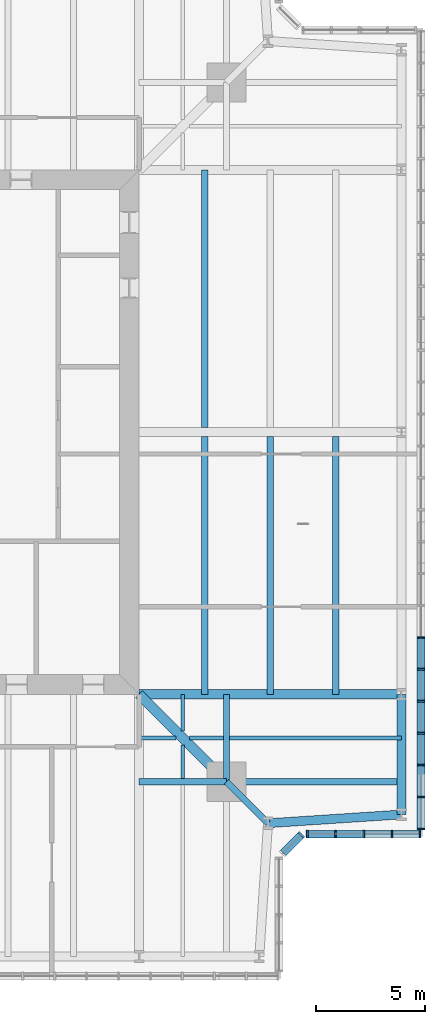
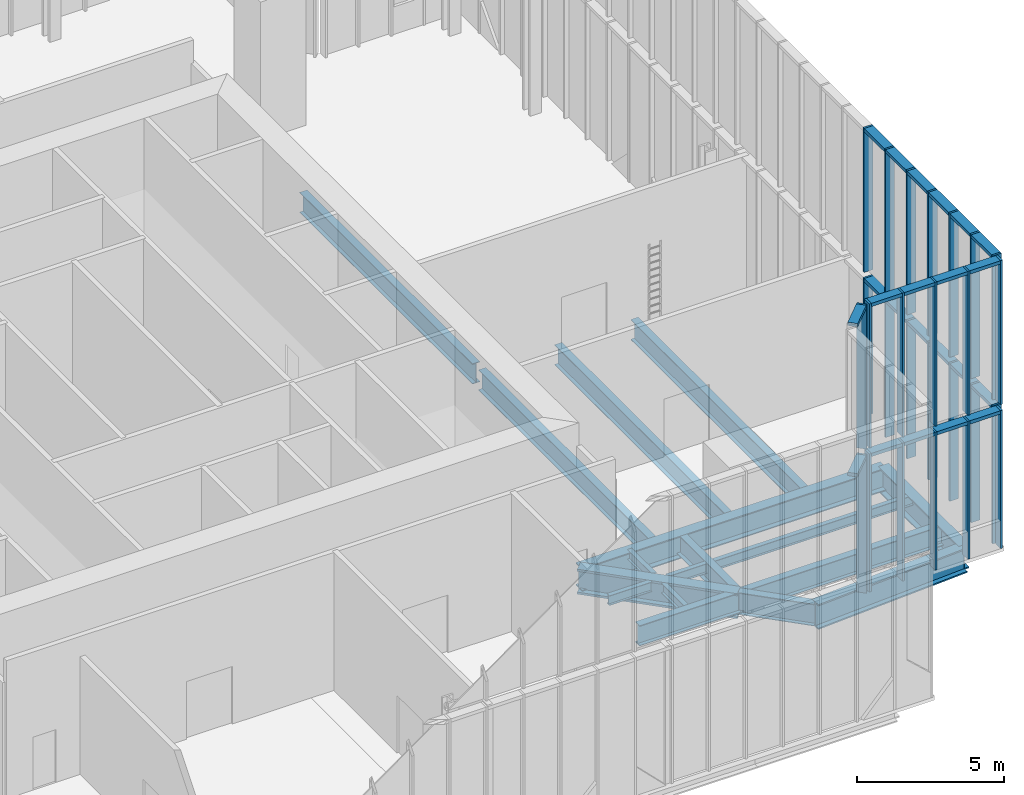
# One storey, part 6 of 25: 48 members, 17 beams, 6 elements without a shape of their own.
"""IFC4 building model written with IfcOpenShell, lengths in metres."""

from ifc_helpers import new_model, si_unit, direction, frame, origin, origin_2d, place, context, subcontext, project, spatial, rectangle, i_section, extrude, material, material_profile, profile_set, type_object, element, aggregate, save


model = new_model("IFC4")

# Units and contexts
model_context = context("Model", 3, precision=1e-05, world=origin(), true_north=direction((0.0, 1.0)))
body_context = subcontext(model_context, "Body", "Model", "MODEL_VIEW")
ifc_project = project(units=[si_unit("LENGTHUNIT", "METRE"), si_unit("AREAUNIT", "SQUARE_METRE"), si_unit("VOLUMEUNIT", "CUBIC_METRE"), si_unit("PLANEANGLEUNIT", "RADIAN"), si_unit("MASSUNIT", "GRAM", prefix="KILO")], contexts=[model_context])

# Site, building, storey
site_placement = place(None, origin())
site = spatial("IfcSite", under=ifc_project, at=site_placement, CompositionType="ELEMENT")
building_placement = place(site_placement, origin())
building = spatial("IfcBuilding", under=site, at=building_placement, Name="Fenwick Lantern Interchange", CompositionType="ELEMENT")
storey_placement = place(building_placement, frame((0.0, 0.0, 307.800048828125)))
storey = spatial("IfcBuildingStorey", under=building, at=storey_placement, Name="L74", CompositionType="ELEMENT", Elevation=307.800048828125)

# Beams
ifc_material_1 = material(Name="Steel ASTM A992 Grade 50", Category="steel")
ifc_material_profile_1 = material_profile(ifc_material_1, i_section(OverallWidth=0.408935546875, OverallDepth=1.04150390625, WebThickness=0.031005859375, FlangeThickness=0.055908203125, at=origin_2d()), Name="W40X397")
ifc_profile_set_1 = profile_set([ifc_material_profile_1], Name="Steel ASTM A992 Grade 50")
beam_type_1 = type_object("IfcBeamType", Name="EDGE BEAM W40X397", PredefinedType="SPANDREL", material=ifc_profile_set_1)
beam_1_placement = place(storey_placement, frame((42.89990234375, 7.10009765625, -0.720703125), z_axis=(0.997858060337, 0.065416293237, 0.0), x_axis=(-0.065416293237, 0.997858060337, 0.0)))
element("IfcBeam", 1, at=beam_1_placement, inside=storey, type_object=beam_type_1, Name="L74/FR/S/EBR2", PredefinedType="SPANDREL", context=body_context, shape_type="SweptSolid", body=[
    extrude(i_section(OverallWidth=0.408935546875, OverallDepth=1.04150390625, WebThickness=0.031005859375, FlangeThickness=0.055908203125, at=origin_2d()), origin(), (0.0, 0.0, 1.0), 6.11328125),
])
beam_2_placement = place(storey_placement, frame((49.0, 7.5, -0.720703125), z_axis=(0.0, 1.0, 0.0), x_axis=(-1.0, 0.0, 0.0)))
element("IfcBeam", 2, at=beam_2_placement, inside=storey, type_object=beam_type_1, Name="L74/FR/E/EB1", PredefinedType="SPANDREL", context=body_context, shape_type="SweptSolid", body=[
    extrude(i_section(OverallWidth=0.408935546875, OverallDepth=1.04150390625, WebThickness=0.031005859375, FlangeThickness=0.055908203125, at=origin_2d()), origin(), (0.0, 0.0, 1.0), 5.5),
])
ifc_material_profile_2 = material_profile(ifc_material_1, i_section(OverallWidth=0.2919921875, OverallDepth=0.845703125, WebThickness=0.015380859375, FlangeThickness=0.0244140625, at=origin_2d()), Name="W33X141")
ifc_profile_set_2 = profile_set([ifc_material_profile_2], Name="Steel ASTM A992 Grade 50")
beam_type_2 = type_object("IfcBeamType", Name="FLOOR BEAM W33X141", PredefinedType="BEAM", material=ifc_profile_set_2)
for number, where, z_axis, x_axis, name in (
    (3, (46.0, 13.0, -0.623046875), (0.0, 1.0, 0.0), (-1.0, 0.0, 0.0), "L74/FR/E/B01"),
    (4, (43.0, 13.0, -0.623046875), (0.0, 1.0, 0.0), (-1.0, 0.0, 0.0), "L74/FR/E/B02"),
    (5, (40.0, 13.0, -0.623046875), (0.0, 1.0, 0.0), (-1.0, 0.0, 0.0), "L74/FR/E/B03"),
    (6, (40.0, 25.20458984375, -0.623046875), (0.0, 1.0, 0.0), (-1.0, 0.0, 0.0), "L74/FR/E/B06"),
):
    element("IfcBeam", number, at=place(storey_placement, frame(where, z_axis=z_axis, x_axis=x_axis)), inside=storey, type_object=beam_type_2, Name=name, PredefinedType="BEAM", context=body_context, shape_type="SweptSolid", body=[
        extrude(i_section(OverallWidth=0.2919921875, OverallDepth=0.845703125, WebThickness=0.015380859375, FlangeThickness=0.0244140625, at=origin_2d()), origin(), (0.0, 0.0, 1.0), 11.79541015625),
    ])
ifc_material_profile_3 = material_profile(ifc_material_1, i_section(OverallWidth=0.177734375, OverallDepth=0.406494140625, WebThickness=0.0078125, FlangeThickness=0.012939453125, at=origin_2d()), Name="W16X40")
ifc_profile_set_3 = profile_set([ifc_material_profile_3], Name="Steel ASTM A992 Grade 50")
beam_type_3 = type_object("IfcBeamType", Name="INFILL BEAM W16X40", PredefinedType="JOIST", material=ifc_profile_set_3)
beam_3_placement = place(storey_placement, frame((49.0, 11.0, -0.4033203125), z_axis=(-1.0, 0.0, 0.0), x_axis=(0.0, -1.0, 0.0)))
element("IfcBeam", 7, at=beam_3_placement, inside=storey, type_object=beam_type_3, Name="L74/FR/E/J1", PredefinedType="JOIST", context=body_context, shape_type="SweptSolid", body=[
    extrude(i_section(OverallWidth=0.177734375, OverallDepth=0.406494140625, WebThickness=0.0078125, FlangeThickness=0.012939453125, at=origin_2d()), origin(), (0.0, 0.0, 1.0), 7.85400390625),
])
beam_4_placement = place(storey_placement, frame((40.85400390625, 11.0, -0.4033203125), z_axis=(-1.0, 0.0, 0.0), x_axis=(0.0, -1.0, 0.0)))
element("IfcBeam", 8, at=beam_4_placement, inside=storey, type_object=beam_type_3, Name="L74/FR/E/J2", PredefinedType="JOIST", context=body_context, shape_type="SweptSolid", body=[
    extrude(i_section(OverallWidth=0.177734375, OverallDepth=0.406494140625, WebThickness=0.0078125, FlangeThickness=0.012939453125, at=origin_2d()), origin(), (0.0, 0.0, 1.0), 1.537841796875),
])
beam_5_placement = place(storey_placement, frame((38.683837890625, 11.0, -0.4033203125), z_axis=(-1.0, 0.0, 0.0), x_axis=(0.0, -1.0, 0.0)))
element("IfcBeam", 9, at=beam_5_placement, inside=storey, type_object=beam_type_3, Name="L74/FR/E/J6", PredefinedType="JOIST", context=body_context, shape_type="SweptSolid", body=[
    extrude(i_section(OverallWidth=0.177734375, OverallDepth=0.406494140625, WebThickness=0.0078125, FlangeThickness=0.012939453125, at=origin_2d()), origin(), (0.0, 0.0, 1.0), 1.683837890625),
])
beam_6_placement = place(storey_placement, frame((39.0, 9.14599609375, -0.4033203125), z_axis=(0.0, 1.0, 0.0), x_axis=(-1.0, 0.0, 0.0)))
element("IfcBeam", 10, at=beam_6_placement, inside=storey, type_object=beam_type_3, Name="L74/FR/E/J4", PredefinedType="JOIST", context=body_context, shape_type="SweptSolid", body=[
    extrude(i_section(OverallWidth=0.177734375, OverallDepth=0.406494140625, WebThickness=0.0078125, FlangeThickness=0.012939453125, at=origin_2d()), origin(), (0.0, 0.0, 1.0), 1.537841796875),
])
beam_7_placement = place(storey_placement, frame((39.0, 11.316162109375, -0.4033203125), z_axis=(0.0, 1.0, 0.0), x_axis=(-1.0, 0.0, 0.0)))
element("IfcBeam", 11, at=beam_7_placement, inside=storey, type_object=beam_type_3, Name="L74/FR/E/J5", PredefinedType="JOIST", context=body_context, shape_type="SweptSolid", body=[
    extrude(i_section(OverallWidth=0.177734375, OverallDepth=0.406494140625, WebThickness=0.0078125, FlangeThickness=0.012939453125, at=origin_2d()), origin(), (0.0, 0.0, 1.0), 1.683837890625),
])

# Curtain wall, member
ifc_material_2 = material(Name="Aluminium curtain wall frame", Category="aluminium")
curtain_wall_type = type_object("IfcCurtainWallType", Name="LANTERN GLAZING", PredefinedType="USERDEFINED", material=ifc_material_2)
curtain_wall_1_placement = place(storey_placement, origin())
curtain_wall_1 = element("IfcCurtainWall", 12, at=curtain_wall_1_placement, inside=storey, type_object=curtain_wall_type, Name="Lantern glazing 03", ObjectType="LANTERN GLAZING", PredefinedType="USERDEFINED")
ifc_material_3 = material(Name="Aluminium extrusion", Category="aluminium")
ifc_material_profile_4 = material_profile(ifc_material_3, rectangle(XDim=0.35009765625, YDim=0.080078125, at=origin_2d()), Name="LANTERN GLAZING MULLION 80 X 350")
ifc_profile_set_4 = profile_set([ifc_material_profile_4], Name="Aluminium extrusion")
member_type_1 = type_object("IfcMemberType", Name="LANTERN GLAZING MULLION 80 X 350", PredefinedType="MULLION", material=ifc_profile_set_4)
member_1_placement = place(storey_placement, frame((44.43017578125, 6.57177734375, 0.0), z_axis=(0.0, 0.0, 1.0), x_axis=(-0.707106781187, 0.707106781187, 0.0)))
member_1 = element("IfcMember", 13, at=member_1_placement, type_object=member_type_1, Name="L74/CW/03/M01", PredefinedType="MULLION", context=body_context, shape_type="SweptSolid", body=[
    extrude(rectangle(XDim=0.35009765625, YDim=0.080078125, at=origin_2d()), origin(), (0.0, 0.0, 1.0), 5.75),
])

# Curtain wall, members
curtain_wall_2_placement = place(storey_placement, origin())
curtain_wall_2 = element("IfcCurtainWall", 14, at=curtain_wall_2_placement, inside=storey, type_object=curtain_wall_type, Name="Lantern glazing 04", ObjectType="LANTERN GLAZING", PredefinedType="USERDEFINED")
member_2_placement = place(storey_placement, frame((44.698486328125, 6.60009765625, 0.0), z_axis=(0.0, 0.0, 1.0), x_axis=(0.0, 1.0, 0.0)))
member_2 = element("IfcMember", 15, at=member_2_placement, type_object=member_type_1, Name="L74/CW/04/M00", PredefinedType="MULLION", context=body_context, shape_type="SweptSolid", body=[
    extrude(rectangle(XDim=0.35009765625, YDim=0.080078125, at=origin_2d()), origin(), (0.0, 0.0, 1.0), 5.75),
])
member_3_placement = place(storey_placement, frame((45.989013671875, 6.60009765625, 0.0), z_axis=(0.0, 0.0, 1.0), x_axis=(0.0, 1.0, 0.0)))
member_3 = element("IfcMember", 16, at=member_3_placement, type_object=member_type_1, Name="L74/CW/04/M01", PredefinedType="MULLION", context=body_context, shape_type="SweptSolid", body=[
    extrude(rectangle(XDim=0.35009765625, YDim=0.080078125, at=origin_2d()), origin(), (0.0, 0.0, 1.0), 5.75),
])
member_4_placement = place(storey_placement, frame((47.279296875, 6.60009765625, 0.0), z_axis=(0.0, 0.0, 1.0), x_axis=(0.0, 1.0, 0.0)))
member_4 = element("IfcMember", 17, at=member_4_placement, type_object=member_type_1, Name="L74/CW/04/M02", PredefinedType="MULLION", context=body_context, shape_type="SweptSolid", body=[
    extrude(rectangle(XDim=0.35009765625, YDim=0.080078125, at=origin_2d()), origin(), (0.0, 0.0, 1.0), 5.75),
])
member_5_placement = place(storey_placement, frame((48.569580078125, 6.60009765625, 0.0), z_axis=(0.0, 0.0, 1.0), x_axis=(0.0, 1.0, 0.0)))
member_5 = element("IfcMember", 18, at=member_5_placement, type_object=member_type_1, Name="L74/CW/04/M03", PredefinedType="MULLION", context=body_context, shape_type="SweptSolid", body=[
    extrude(rectangle(XDim=0.35009765625, YDim=0.080078125, at=origin_2d()), origin(), (0.0, 0.0, 1.0), 5.75),
])
member_6_placement = place(storey_placement, frame((49.860107421875, 6.60009765625, 0.0), z_axis=(0.0, 0.0, 1.0), x_axis=(0.0, 1.0, 0.0)))
member_6 = element("IfcMember", 19, at=member_6_placement, type_object=member_type_1, Name="L74/CW/04/M04", PredefinedType="MULLION", context=body_context, shape_type="SweptSolid", body=[
    extrude(rectangle(XDim=0.35009765625, YDim=0.080078125, at=origin_2d()), origin(), (0.0, 0.0, 1.0), 5.75),
])

curtain_wall_3_placement = place(storey_placement, origin())
curtain_wall_3 = element("IfcCurtainWall", 20, at=curtain_wall_3_placement, inside=storey, type_object=curtain_wall_type, Name="Lantern glazing 05", ObjectType="LANTERN GLAZING", PredefinedType="USERDEFINED")
member_7_placement = place(storey_placement, frame((49.89990234375, 6.840087890625, 0.0), z_axis=(0.0, 0.0, 1.0), x_axis=(-1.0, 0.0, 0.0)))
member_7 = element("IfcMember", 21, at=member_7_placement, type_object=member_type_1, Name="L74/CW/05/M00", PredefinedType="MULLION", context=body_context, shape_type="SweptSolid", body=[
    extrude(rectangle(XDim=0.35009765625, YDim=0.080078125, at=origin_2d()), origin(), (0.0, 0.0, 1.0), 5.75),
])
member_8_placement = place(storey_placement, frame((49.89990234375, 8.30078125, 0.0), z_axis=(0.0, 0.0, 1.0), x_axis=(-1.0, 0.0, 0.0)))
member_8 = element("IfcMember", 22, at=member_8_placement, type_object=member_type_1, Name="L74/CW/05/M01", PredefinedType="MULLION", context=body_context, shape_type="SweptSolid", body=[
    extrude(rectangle(XDim=0.35009765625, YDim=0.080078125, at=origin_2d()), origin(), (0.0, 0.0, 1.0), 5.75),
])
member_9_placement = place(storey_placement, frame((49.89990234375, 9.76171875, 0.0), z_axis=(0.0, 0.0, 1.0), x_axis=(-1.0, 0.0, 0.0)))
member_9 = element("IfcMember", 23, at=member_9_placement, type_object=member_type_1, Name="L74/CW/05/M02", PredefinedType="MULLION", context=body_context, shape_type="SweptSolid", body=[
    extrude(rectangle(XDim=0.35009765625, YDim=0.080078125, at=origin_2d()), origin(), (0.0, 0.0, 1.0), 5.75),
])
member_10_placement = place(storey_placement, frame((49.89990234375, 11.222412109375, 0.0), z_axis=(0.0, 0.0, 1.0), x_axis=(-1.0, 0.0, 0.0)))
member_10 = element("IfcMember", 24, at=member_10_placement, type_object=member_type_1, Name="L74/CW/05/M03", PredefinedType="MULLION", context=body_context, shape_type="SweptSolid", body=[
    extrude(rectangle(XDim=0.35009765625, YDim=0.080078125, at=origin_2d()), origin(), (0.0, 0.0, 1.0), 5.75),
])
member_11_placement = place(storey_placement, frame((49.89990234375, 12.68310546875, 0.0), z_axis=(0.0, 0.0, 1.0), x_axis=(-1.0, 0.0, 0.0)))
member_11 = element("IfcMember", 25, at=member_11_placement, type_object=member_type_1, Name="L74/CW/05/M04", PredefinedType="MULLION", context=body_context, shape_type="SweptSolid", body=[
    extrude(rectangle(XDim=0.35009765625, YDim=0.080078125, at=origin_2d()), origin(), (0.0, 0.0, 1.0), 5.75),
])
member_12_placement = place(storey_placement, frame((49.89990234375, 14.14404296875, 0.0), z_axis=(0.0, 0.0, 1.0), x_axis=(-1.0, 0.0, 0.0)))
member_12 = element("IfcMember", 26, at=member_12_placement, type_object=member_type_1, Name="L74/CW/05/M05", PredefinedType="MULLION", context=body_context, shape_type="SweptSolid", body=[
    extrude(rectangle(XDim=0.35009765625, YDim=0.080078125, at=origin_2d()), origin(), (0.0, 0.0, 1.0), 5.75),
])
member_13_placement = place(storey_placement, frame((49.89990234375, 15.604736328125, 0.0), z_axis=(0.0, 0.0, 1.0), x_axis=(-1.0, 0.0, 0.0)))
member_13 = element("IfcMember", 27, at=member_13_placement, type_object=member_type_1, Name="L74/CW/05/M06", PredefinedType="MULLION", context=body_context, shape_type="SweptSolid", body=[
    extrude(rectangle(XDim=0.35009765625, YDim=0.080078125, at=origin_2d()), origin(), (0.0, 0.0, 1.0), 5.75),
])

# Curtain wall, member
curtain_wall_4_placement = place(storey_placement, origin())
curtain_wall_4 = element("IfcCurtainWall", 28, at=curtain_wall_4_placement, inside=storey, type_object=curtain_wall_type, Name="Lantern glazing 03", ObjectType="LANTERN GLAZING", PredefinedType="USERDEFINED")
member_14_placement = place(storey_placement, frame((44.43017578125, 6.57177734375, 6.0), z_axis=(0.0, 0.0, 1.0), x_axis=(-0.707106781187, 0.707106781187, 0.0)))
member_14 = element("IfcMember", 29, at=member_14_placement, type_object=member_type_1, Name="RF/LANTERN/03/M01", PredefinedType="MULLION", context=body_context, shape_type="SweptSolid", body=[
    extrude(rectangle(XDim=0.35009765625, YDim=0.080078125, at=origin_2d()), origin(), (0.0, 0.0, 1.0), 6.0),
])

# Curtain wall, members
curtain_wall_5_placement = place(storey_placement, origin())
curtain_wall_5 = element("IfcCurtainWall", 30, at=curtain_wall_5_placement, inside=storey, type_object=curtain_wall_type, Name="Lantern glazing 04", ObjectType="LANTERN GLAZING", PredefinedType="USERDEFINED")
member_15_placement = place(storey_placement, frame((44.698486328125, 6.60009765625, 6.0), z_axis=(0.0, 0.0, 1.0), x_axis=(0.0, 1.0, 0.0)))
member_15 = element("IfcMember", 31, at=member_15_placement, type_object=member_type_1, Name="RF/LANTERN/04/M00", PredefinedType="MULLION", context=body_context, shape_type="SweptSolid", body=[
    extrude(rectangle(XDim=0.35009765625, YDim=0.080078125, at=origin_2d()), origin(), (0.0, 0.0, 1.0), 6.0),
])
member_16_placement = place(storey_placement, frame((45.989013671875, 6.60009765625, 6.0), z_axis=(0.0, 0.0, 1.0), x_axis=(0.0, 1.0, 0.0)))
member_16 = element("IfcMember", 32, at=member_16_placement, type_object=member_type_1, Name="RF/LANTERN/04/M01", PredefinedType="MULLION", context=body_context, shape_type="SweptSolid", body=[
    extrude(rectangle(XDim=0.35009765625, YDim=0.080078125, at=origin_2d()), origin(), (0.0, 0.0, 1.0), 6.0),
])
member_17_placement = place(storey_placement, frame((47.279296875, 6.60009765625, 6.0), z_axis=(0.0, 0.0, 1.0), x_axis=(0.0, 1.0, 0.0)))
member_17 = element("IfcMember", 33, at=member_17_placement, type_object=member_type_1, Name="RF/LANTERN/04/M02", PredefinedType="MULLION", context=body_context, shape_type="SweptSolid", body=[
    extrude(rectangle(XDim=0.35009765625, YDim=0.080078125, at=origin_2d()), origin(), (0.0, 0.0, 1.0), 6.0),
])
member_18_placement = place(storey_placement, frame((48.569580078125, 6.60009765625, 6.0), z_axis=(0.0, 0.0, 1.0), x_axis=(0.0, 1.0, 0.0)))
member_18 = element("IfcMember", 34, at=member_18_placement, type_object=member_type_1, Name="RF/LANTERN/04/M03", PredefinedType="MULLION", context=body_context, shape_type="SweptSolid", body=[
    extrude(rectangle(XDim=0.35009765625, YDim=0.080078125, at=origin_2d()), origin(), (0.0, 0.0, 1.0), 6.0),
])
member_19_placement = place(storey_placement, frame((49.860107421875, 6.60009765625, 6.0), z_axis=(0.0, 0.0, 1.0), x_axis=(0.0, 1.0, 0.0)))
member_19 = element("IfcMember", 35, at=member_19_placement, type_object=member_type_1, Name="RF/LANTERN/04/M04", PredefinedType="MULLION", context=body_context, shape_type="SweptSolid", body=[
    extrude(rectangle(XDim=0.35009765625, YDim=0.080078125, at=origin_2d()), origin(), (0.0, 0.0, 1.0), 6.0),
])

curtain_wall_6_placement = place(storey_placement, origin())
curtain_wall_6 = element("IfcCurtainWall", 36, at=curtain_wall_6_placement, inside=storey, type_object=curtain_wall_type, Name="Lantern glazing 05", ObjectType="LANTERN GLAZING", PredefinedType="USERDEFINED")
member_20_placement = place(storey_placement, frame((49.89990234375, 6.840087890625, 6.0), z_axis=(0.0, 0.0, 1.0), x_axis=(-1.0, 0.0, 0.0)))
member_20 = element("IfcMember", 37, at=member_20_placement, type_object=member_type_1, Name="RF/LANTERN/05/M00", PredefinedType="MULLION", context=body_context, shape_type="SweptSolid", body=[
    extrude(rectangle(XDim=0.35009765625, YDim=0.080078125, at=origin_2d()), origin(), (0.0, 0.0, 1.0), 6.0),
])
member_21_placement = place(storey_placement, frame((49.89990234375, 8.30078125, 6.0), z_axis=(0.0, 0.0, 1.0), x_axis=(-1.0, 0.0, 0.0)))
member_21 = element("IfcMember", 38, at=member_21_placement, type_object=member_type_1, Name="RF/LANTERN/05/M01", PredefinedType="MULLION", context=body_context, shape_type="SweptSolid", body=[
    extrude(rectangle(XDim=0.35009765625, YDim=0.080078125, at=origin_2d()), origin(), (0.0, 0.0, 1.0), 6.0),
])
member_22_placement = place(storey_placement, frame((49.89990234375, 9.76171875, 6.0), z_axis=(0.0, 0.0, 1.0), x_axis=(-1.0, 0.0, 0.0)))
member_22 = element("IfcMember", 39, at=member_22_placement, type_object=member_type_1, Name="RF/LANTERN/05/M02", PredefinedType="MULLION", context=body_context, shape_type="SweptSolid", body=[
    extrude(rectangle(XDim=0.35009765625, YDim=0.080078125, at=origin_2d()), origin(), (0.0, 0.0, 1.0), 6.0),
])
member_23_placement = place(storey_placement, frame((49.89990234375, 11.222412109375, 6.0), z_axis=(0.0, 0.0, 1.0), x_axis=(-1.0, 0.0, 0.0)))
member_23 = element("IfcMember", 40, at=member_23_placement, type_object=member_type_1, Name="RF/LANTERN/05/M03", PredefinedType="MULLION", context=body_context, shape_type="SweptSolid", body=[
    extrude(rectangle(XDim=0.35009765625, YDim=0.080078125, at=origin_2d()), origin(), (0.0, 0.0, 1.0), 6.0),
])
member_24_placement = place(storey_placement, frame((49.89990234375, 12.68310546875, 6.0), z_axis=(0.0, 0.0, 1.0), x_axis=(-1.0, 0.0, 0.0)))
member_24 = element("IfcMember", 41, at=member_24_placement, type_object=member_type_1, Name="RF/LANTERN/05/M04", PredefinedType="MULLION", context=body_context, shape_type="SweptSolid", body=[
    extrude(rectangle(XDim=0.35009765625, YDim=0.080078125, at=origin_2d()), origin(), (0.0, 0.0, 1.0), 6.0),
])
member_25_placement = place(storey_placement, frame((49.89990234375, 14.14404296875, 6.0), z_axis=(0.0, 0.0, 1.0), x_axis=(-1.0, 0.0, 0.0)))
member_25 = element("IfcMember", 42, at=member_25_placement, type_object=member_type_1, Name="RF/LANTERN/05/M05", PredefinedType="MULLION", context=body_context, shape_type="SweptSolid", body=[
    extrude(rectangle(XDim=0.35009765625, YDim=0.080078125, at=origin_2d()), origin(), (0.0, 0.0, 1.0), 6.0),
])
member_26_placement = place(storey_placement, frame((49.89990234375, 15.604736328125, 6.0), z_axis=(0.0, 0.0, 1.0), x_axis=(-1.0, 0.0, 0.0)))
member_26 = element("IfcMember", 43, at=member_26_placement, type_object=member_type_1, Name="RF/LANTERN/05/M06", PredefinedType="MULLION", context=body_context, shape_type="SweptSolid", body=[
    extrude(rectangle(XDim=0.35009765625, YDim=0.080078125, at=origin_2d()), origin(), (0.0, 0.0, 1.0), 6.0),
])

# Member
ifc_material_profile_5 = material_profile(ifc_material_3, rectangle(XDim=0.35009765625, YDim=0.139892578125, at=origin_2d()), Name="LANTERN GLAZING TRANSOM 140 X 350")
ifc_profile_set_5 = profile_set([ifc_material_profile_5], Name="Aluminium extrusion")
member_type_2 = type_object("IfcMemberType", Name="LANTERN GLAZING TRANSOM 140 X 350", PredefinedType="MULLION", material=ifc_profile_set_5)
member_27_placement = place(storey_placement, frame((43.597900390625, 5.739501953125, 5.679931640625), z_axis=(0.707214121873, 0.706999424203, 0.0), x_axis=(-0.706999424203, 0.707214121873, 0.0)))
member_27 = element("IfcMember", 44, at=member_27_placement, type_object=member_type_2, Name="L74/CW/03/T00", PredefinedType="MULLION", context=body_context, shape_type="SweptSolid", body=[
    extrude(rectangle(XDim=0.35009765625, YDim=0.139892578125, at=origin_2d()), origin(), (0.0, 0.0, 1.0), 1.13720703125),
])

aggregate(curtain_wall_1, [member_1, member_27])

member_28_placement = place(storey_placement, frame((44.738525390625, 6.60009765625, 5.679931640625), z_axis=(1.0, 0.0, 0.0), x_axis=(0.0, 1.0, 0.0)))
member_28 = element("IfcMember", 45, at=member_28_placement, type_object=member_type_2, Name="L74/CW/04/T00", PredefinedType="MULLION", context=body_context, shape_type="SweptSolid", body=[
    extrude(rectangle(XDim=0.35009765625, YDim=0.139892578125, at=origin_2d()), origin(), (0.0, 0.0, 1.0), 1.21044921875),
])

member_29_placement = place(storey_placement, frame((46.029052734375, 6.60009765625, 5.679931640625), z_axis=(1.0, 0.0, 0.0), x_axis=(0.0, 1.0, 0.0)))
member_29 = element("IfcMember", 46, at=member_29_placement, type_object=member_type_2, Name="L74/CW/04/T01", PredefinedType="MULLION", context=body_context, shape_type="SweptSolid", body=[
    extrude(rectangle(XDim=0.35009765625, YDim=0.139892578125, at=origin_2d()), origin(), (0.0, 0.0, 1.0), 1.210205078125),
])

member_30_placement = place(storey_placement, frame((47.3193359375, 6.60009765625, 5.679931640625), z_axis=(1.0, 0.0, 0.0), x_axis=(0.0, 1.0, 0.0)))
member_30 = element("IfcMember", 47, at=member_30_placement, type_object=member_type_2, Name="L74/CW/04/T02", PredefinedType="MULLION", context=body_context, shape_type="SweptSolid", body=[
    extrude(rectangle(XDim=0.35009765625, YDim=0.139892578125, at=origin_2d()), origin(), (0.0, 0.0, 1.0), 1.210205078125),
])

member_31_placement = place(storey_placement, frame((48.609619140625, 6.60009765625, 5.679931640625), z_axis=(1.0, 0.0, 0.0), x_axis=(0.0, 1.0, 0.0)))
member_31 = element("IfcMember", 48, at=member_31_placement, type_object=member_type_2, Name="L74/CW/04/T03", PredefinedType="MULLION", context=body_context, shape_type="SweptSolid", body=[
    extrude(rectangle(XDim=0.35009765625, YDim=0.139892578125, at=origin_2d()), origin(), (0.0, 0.0, 1.0), 1.21044921875),
])

aggregate(curtain_wall_2, [member_2, member_3, member_4, member_5, member_6, member_28, member_29, member_30, member_31])

member_32_placement = place(storey_placement, frame((49.89990234375, 6.8798828125, 5.679931640625), z_axis=(0.0, 1.0, 0.0), x_axis=(-1.0, 0.0, 0.0)))
member_32 = element("IfcMember", 49, at=member_32_placement, type_object=member_type_2, Name="L74/CW/05/T00", PredefinedType="MULLION", context=body_context, shape_type="SweptSolid", body=[
    extrude(rectangle(XDim=0.35009765625, YDim=0.139892578125, at=origin_2d()), origin(), (0.0, 0.0, 1.0), 1.380859375),
])

member_33_placement = place(storey_placement, frame((49.89990234375, 8.3408203125, 5.679931640625), z_axis=(0.0, 1.0, 0.0), x_axis=(-1.0, 0.0, 0.0)))
member_33 = element("IfcMember", 50, at=member_33_placement, type_object=member_type_2, Name="L74/CW/05/T01", PredefinedType="MULLION", context=body_context, shape_type="SweptSolid", body=[
    extrude(rectangle(XDim=0.35009765625, YDim=0.139892578125, at=origin_2d()), origin(), (0.0, 0.0, 1.0), 1.380859375),
])

member_34_placement = place(storey_placement, frame((49.89990234375, 9.801513671875, 5.679931640625), z_axis=(0.0, 1.0, 0.0), x_axis=(-1.0, 0.0, 0.0)))
member_34 = element("IfcMember", 51, at=member_34_placement, type_object=member_type_2, Name="L74/CW/05/T02", PredefinedType="MULLION", context=body_context, shape_type="SweptSolid", body=[
    extrude(rectangle(XDim=0.35009765625, YDim=0.139892578125, at=origin_2d()), origin(), (0.0, 0.0, 1.0), 1.380859375),
])

member_35_placement = place(storey_placement, frame((49.89990234375, 11.262451171875, 5.679931640625), z_axis=(0.0, 1.0, 0.0), x_axis=(-1.0, 0.0, 0.0)))
member_35 = element("IfcMember", 52, at=member_35_placement, type_object=member_type_2, Name="L74/CW/05/T03", PredefinedType="MULLION", context=body_context, shape_type="SweptSolid", body=[
    extrude(rectangle(XDim=0.35009765625, YDim=0.139892578125, at=origin_2d()), origin(), (0.0, 0.0, 1.0), 1.380859375),
])

member_36_placement = place(storey_placement, frame((49.89990234375, 12.72314453125, 5.679931640625), z_axis=(0.0, 1.0, 0.0), x_axis=(-1.0, 0.0, 0.0)))
member_36 = element("IfcMember", 53, at=member_36_placement, type_object=member_type_2, Name="L74/CW/05/T04", PredefinedType="MULLION", context=body_context, shape_type="SweptSolid", body=[
    extrude(rectangle(XDim=0.35009765625, YDim=0.139892578125, at=origin_2d()), origin(), (0.0, 0.0, 1.0), 1.380859375),
])

member_37_placement = place(storey_placement, frame((49.89990234375, 14.18408203125, 5.679931640625), z_axis=(0.0, 1.0, 0.0), x_axis=(-1.0, 0.0, 0.0)))
member_37 = element("IfcMember", 54, at=member_37_placement, type_object=member_type_2, Name="L74/CW/05/T05", PredefinedType="MULLION", context=body_context, shape_type="SweptSolid", body=[
    extrude(rectangle(XDim=0.35009765625, YDim=0.139892578125, at=origin_2d()), origin(), (0.0, 0.0, 1.0), 1.380615234375),
])

aggregate(curtain_wall_3, [member_7, member_8, member_9, member_10, member_11, member_12, member_13, member_32, member_33, member_34, member_35, member_36, member_37])

member_38_placement = place(storey_placement, frame((43.597900390625, 5.739501953125, 11.929931640625), z_axis=(0.707214121873, 0.706999424203, 0.0), x_axis=(-0.706999424203, 0.707214121873, 0.0)))
member_38 = element("IfcMember", 55, at=member_38_placement, type_object=member_type_2, Name="RF/LANTERN/03/T00", PredefinedType="MULLION", context=body_context, shape_type="SweptSolid", body=[
    extrude(rectangle(XDim=0.35009765625, YDim=0.139892578125, at=origin_2d()), origin(), (0.0, 0.0, 1.0), 1.13720703125),
])

aggregate(curtain_wall_4, [member_14, member_38])

member_39_placement = place(storey_placement, frame((44.738525390625, 6.60009765625, 11.929931640625), z_axis=(1.0, 0.0, 0.0), x_axis=(0.0, 1.0, 0.0)))
member_39 = element("IfcMember", 56, at=member_39_placement, type_object=member_type_2, Name="RF/LANTERN/04/T00", PredefinedType="MULLION", context=body_context, shape_type="SweptSolid", body=[
    extrude(rectangle(XDim=0.35009765625, YDim=0.139892578125, at=origin_2d()), origin(), (0.0, 0.0, 1.0), 1.21044921875),
])

member_40_placement = place(storey_placement, frame((46.029052734375, 6.60009765625, 11.929931640625), z_axis=(1.0, 0.0, 0.0), x_axis=(0.0, 1.0, 0.0)))
member_40 = element("IfcMember", 57, at=member_40_placement, type_object=member_type_2, Name="RF/LANTERN/04/T01", PredefinedType="MULLION", context=body_context, shape_type="SweptSolid", body=[
    extrude(rectangle(XDim=0.35009765625, YDim=0.139892578125, at=origin_2d()), origin(), (0.0, 0.0, 1.0), 1.210205078125),
])

member_41_placement = place(storey_placement, frame((47.3193359375, 6.60009765625, 11.929931640625), z_axis=(1.0, 0.0, 0.0), x_axis=(0.0, 1.0, 0.0)))
member_41 = element("IfcMember", 58, at=member_41_placement, type_object=member_type_2, Name="RF/LANTERN/04/T02", PredefinedType="MULLION", context=body_context, shape_type="SweptSolid", body=[
    extrude(rectangle(XDim=0.35009765625, YDim=0.139892578125, at=origin_2d()), origin(), (0.0, 0.0, 1.0), 1.210205078125),
])

member_42_placement = place(storey_placement, frame((48.609619140625, 6.60009765625, 11.929931640625), z_axis=(1.0, 0.0, 0.0), x_axis=(0.0, 1.0, 0.0)))
member_42 = element("IfcMember", 59, at=member_42_placement, type_object=member_type_2, Name="RF/LANTERN/04/T03", PredefinedType="MULLION", context=body_context, shape_type="SweptSolid", body=[
    extrude(rectangle(XDim=0.35009765625, YDim=0.139892578125, at=origin_2d()), origin(), (0.0, 0.0, 1.0), 1.21044921875),
])

aggregate(curtain_wall_5, [member_15, member_16, member_17, member_18, member_19, member_39, member_40, member_41, member_42])

member_43_placement = place(storey_placement, frame((49.89990234375, 6.8798828125, 11.929931640625), z_axis=(0.0, 1.0, 0.0), x_axis=(-1.0, 0.0, 0.0)))
member_43 = element("IfcMember", 60, at=member_43_placement, type_object=member_type_2, Name="RF/LANTERN/05/T00", PredefinedType="MULLION", context=body_context, shape_type="SweptSolid", body=[
    extrude(rectangle(XDim=0.35009765625, YDim=0.139892578125, at=origin_2d()), origin(), (0.0, 0.0, 1.0), 1.380859375),
])

member_44_placement = place(storey_placement, frame((49.89990234375, 8.3408203125, 11.929931640625), z_axis=(0.0, 1.0, 0.0), x_axis=(-1.0, 0.0, 0.0)))
member_44 = element("IfcMember", 61, at=member_44_placement, type_object=member_type_2, Name="RF/LANTERN/05/T01", PredefinedType="MULLION", context=body_context, shape_type="SweptSolid", body=[
    extrude(rectangle(XDim=0.35009765625, YDim=0.139892578125, at=origin_2d()), origin(), (0.0, 0.0, 1.0), 1.380859375),
])

member_45_placement = place(storey_placement, frame((49.89990234375, 9.801513671875, 11.929931640625), z_axis=(0.0, 1.0, 0.0), x_axis=(-1.0, 0.0, 0.0)))
member_45 = element("IfcMember", 62, at=member_45_placement, type_object=member_type_2, Name="RF/LANTERN/05/T02", PredefinedType="MULLION", context=body_context, shape_type="SweptSolid", body=[
    extrude(rectangle(XDim=0.35009765625, YDim=0.139892578125, at=origin_2d()), origin(), (0.0, 0.0, 1.0), 1.380859375),
])

member_46_placement = place(storey_placement, frame((49.89990234375, 11.262451171875, 11.929931640625), z_axis=(0.0, 1.0, 0.0), x_axis=(-1.0, 0.0, 0.0)))
member_46 = element("IfcMember", 63, at=member_46_placement, type_object=member_type_2, Name="RF/LANTERN/05/T03", PredefinedType="MULLION", context=body_context, shape_type="SweptSolid", body=[
    extrude(rectangle(XDim=0.35009765625, YDim=0.139892578125, at=origin_2d()), origin(), (0.0, 0.0, 1.0), 1.380859375),
])

member_47_placement = place(storey_placement, frame((49.89990234375, 12.72314453125, 11.929931640625), z_axis=(0.0, 1.0, 0.0), x_axis=(-1.0, 0.0, 0.0)))
member_47 = element("IfcMember", 64, at=member_47_placement, type_object=member_type_2, Name="RF/LANTERN/05/T04", PredefinedType="MULLION", context=body_context, shape_type="SweptSolid", body=[
    extrude(rectangle(XDim=0.35009765625, YDim=0.139892578125, at=origin_2d()), origin(), (0.0, 0.0, 1.0), 1.380859375),
])

member_48_placement = place(storey_placement, frame((49.89990234375, 14.18408203125, 11.929931640625), z_axis=(0.0, 1.0, 0.0), x_axis=(-1.0, 0.0, 0.0)))
member_48 = element("IfcMember", 65, at=member_48_placement, type_object=member_type_2, Name="RF/LANTERN/05/T05", PredefinedType="MULLION", context=body_context, shape_type="SweptSolid", body=[
    extrude(rectangle(XDim=0.35009765625, YDim=0.139892578125, at=origin_2d()), origin(), (0.0, 0.0, 1.0), 1.380615234375),
])

aggregate(curtain_wall_6, [member_20, member_21, member_22, member_23, member_24, member_25, member_26, member_43, member_44, member_45, member_46, member_47, member_48])

# Beams
ifc_material_profile_6 = material_profile(ifc_material_1, i_section(OverallWidth=0.2919921875, OverallDepth=0.845703125, WebThickness=0.015380859375, FlangeThickness=0.0244140625, at=origin_2d()), Name="W33X141")
ifc_profile_set_6 = profile_set([ifc_material_profile_6], Name="Steel ASTM A992 Grade 50")
beam_type_4 = type_object("IfcBeamType", Name="MEGA COLUMN BEAM W33X141", PredefinedType="BEAM", material=ifc_profile_set_6)
beam_8_placement = place(storey_placement, frame((41.0, 9.0, -0.623046875), z_axis=(1.0, 0.0, 0.0), x_axis=(0.0, 1.0, 0.0)))
element("IfcBeam", 66, at=beam_8_placement, inside=storey, type_object=beam_type_4, Name="L74/FR/E/MB1", PredefinedType="BEAM", context=body_context, shape_type="SweptSolid", body=[
    extrude(i_section(OverallWidth=0.2919921875, OverallDepth=0.845703125, WebThickness=0.015380859375, FlangeThickness=0.0244140625, at=origin_2d()), origin(), (0.0, 0.0, 1.0), 8.0),
])
for number, where, z_axis, x_axis, name in (
    (67, (41.0, 9.0, -0.623046875), (0.0, 1.0, 0.0), (-1.0, 0.0, 0.0), "L74/FR/E/MB3"),
    (68, (41.0, 9.0, -0.623046875), (-1.0, 0.0, 0.0), (0.0, -1.0, 0.0), "L74/FR/E/MB4"),
):
    element("IfcBeam", number, at=place(storey_placement, frame(where, z_axis=z_axis, x_axis=x_axis)), inside=storey, type_object=beam_type_4, Name=name, PredefinedType="BEAM", context=body_context, shape_type="SweptSolid", body=[
        extrude(i_section(OverallWidth=0.2919921875, OverallDepth=0.845703125, WebThickness=0.015380859375, FlangeThickness=0.0244140625, at=origin_2d()), origin(), (0.0, 0.0, 1.0), 4.0),
    ])
ifc_material_profile_7 = material_profile(ifc_material_1, i_section(OverallWidth=0.424072265625, OverallDepth=0.947509765625, WebThickness=0.02392578125, FlangeThickness=0.042724609375, at=origin_2d()), Name="W36X302")
ifc_profile_set_7 = profile_set([ifc_material_profile_7], Name="Steel ASTM A992 Grade 50")
beam_type_5 = type_object("IfcBeamType", Name="MOMENT-CONNECTED GIRDER W36X302", PredefinedType="BEAM", material=ifc_profile_set_7)
beam_9_placement = place(storey_placement, frame((49.0, 13.0, -0.673828125), z_axis=(-1.0, 0.0, 0.0), x_axis=(0.0, -1.0, 0.0)))
element("IfcBeam", 69, at=beam_9_placement, inside=storey, type_object=beam_type_5, Name="L74/FR/E/R01", PredefinedType="BEAM", context=body_context, shape_type="SweptSolid", body=[
    extrude(i_section(OverallWidth=0.424072265625, OverallDepth=0.947509765625, WebThickness=0.02392578125, FlangeThickness=0.042724609375, at=origin_2d()), origin(), (0.0, 0.0, 1.0), 12.0),
])
ifc_material_profile_8 = material_profile(ifc_material_1, i_section(OverallWidth=0.3046875, OverallDepth=0.911865234375, WebThickness=0.015869140625, FlangeThickness=0.02392578125, at=origin_2d()), Name="W36X150")
ifc_profile_set_8 = profile_set([ifc_material_profile_8], Name="Steel ASTM A992 Grade 50")
beam_type_6 = type_object("IfcBeamType", Name="NOTCH BEAM W36X150", PredefinedType="BEAM", material=ifc_profile_set_8)
beam_10_placement = place(storey_placement, frame((41.0, 9.0, -0.656005859375), z_axis=(0.707106781187, -0.707106781187, 0.0), x_axis=(0.707106781187, 0.707106781187, 0.0)))
element("IfcBeam", 70, at=beam_10_placement, inside=storey, type_object=beam_type_6, Name="L74/FR/E/TG", PredefinedType="BEAM", context=body_context, shape_type="SweptSolid", body=[
    extrude(i_section(OverallWidth=0.3046875, OverallDepth=0.911865234375, WebThickness=0.015869140625, FlangeThickness=0.02392578125, at=origin_2d()), origin(), (0.0, 0.0, 1.0), 2.686767578125),
])
ifc_material_profile_9 = material_profile(ifc_material_1, i_section(OverallWidth=0.447021484375, OverallDepth=1.0439453125, WebThickness=0.050048828125, FlangeThickness=0.08984375, at=origin_2d()), Name="W36X652")
ifc_profile_set_9 = profile_set([ifc_material_profile_9], Name="Steel ASTM A992 Grade 50")
beam_type_7 = type_object("IfcBeamType", Name="OUTRIGGER CHORD W36X652", PredefinedType="BEAM", material=ifc_profile_set_9)
beam_11_placement = place(storey_placement, frame((37.0, 13.0, -0.721923828125), z_axis=(0.707106781187, -0.707106781187, 0.0), x_axis=(0.707106781187, 0.707106781187, 0.0)))
element("IfcBeam", 71, at=beam_11_placement, inside=storey, type_object=beam_type_7, Name="L74/OR/E/TC", PredefinedType="BEAM", context=body_context, shape_type="SweptSolid", body=[
    extrude(i_section(OverallWidth=0.447021484375, OverallDepth=1.0439453125, WebThickness=0.050048828125, FlangeThickness=0.08984375, at=origin_2d()), origin(), (0.0, 0.0, 1.0), 5.65673828125),
])

save(model, "model.ifc")
